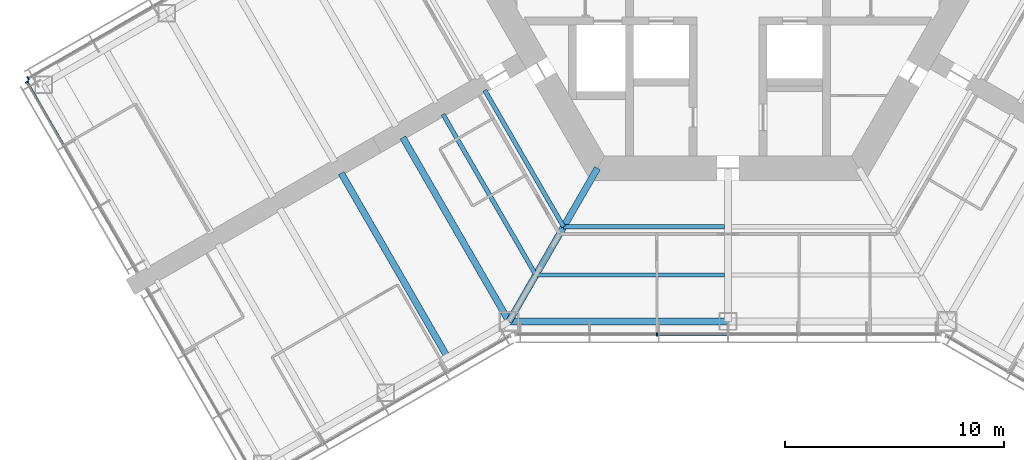
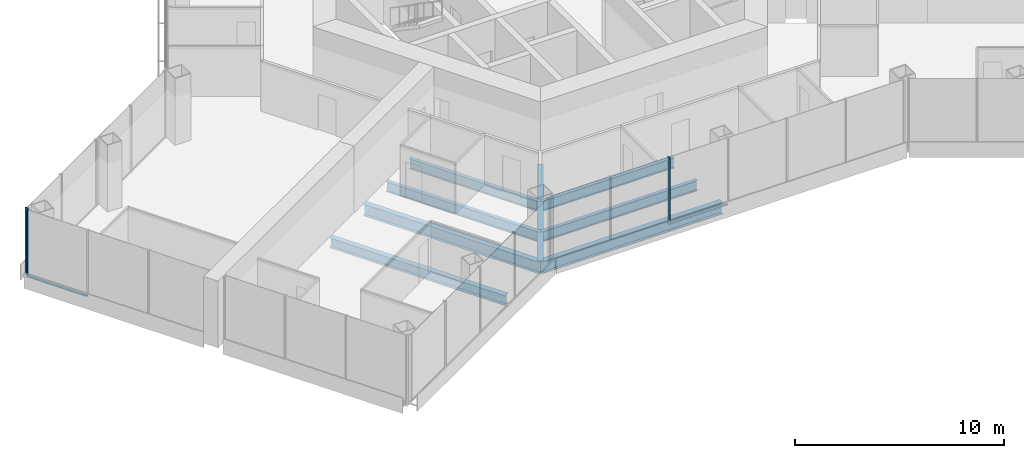
# One storey, part 3 of 19: 8 beams, 5 members, 3 elements without a shape of their own.
"""IFC4 building model written with IfcOpenShell, lengths in metres."""

import ifcopenshell
import ifcopenshell.guid

model = None  # the IFC model being written
_history = None  # IfcOwnerHistory: only IFC2X3 demands one
_inside = {}  # id of a spatial element -> (the spatial element, [elements in it])
_under = {}  # id of a project, library or spatial element -> (it, [spatial elements below it])
_declared = {}  # id of a project -> (the project, [libraries it declares])
_typed = {}  # id of a type object -> (the type object, [elements of that type])
_made_of = {}  # id of a material, layer set ... -> (it, [elements and type objects made of it])


def new_model(schema):
    """Start an empty IFC model of exactly this schema.

    Asked for "IFC4X3", IfcOpenShell would pick the latest addendum, in which some entities
    have other attributes; the version numbers below select the first issue.
    IFC2X3 requires an IfcOwnerHistory on every rooted entity: one is made here for all.
    """
    global model, _history
    if schema == "IFC4X3":
        model = ifcopenshell.file(schema_version=(4, 3, 0, 0))
    else:
        model = ifcopenshell.file(schema=schema)
    _inside.clear()
    _under.clear()
    _declared.clear()
    _typed.clear()
    _made_of.clear()
    _history = None
    if model.schema == "IFC2X3":
        org = make("IfcOrganization", Name="unknown")
        user = make(
            "IfcPersonAndOrganization",
            ThePerson=make("IfcPerson", FamilyName="unknown"),
            TheOrganization=org,
        )
        app = make(
            "IfcApplication",
            ApplicationDeveloper=org,
            Version="unknown",
            ApplicationFullName="unknown",
            ApplicationIdentifier="unknown",
        )
        _history = make(
            "IfcOwnerHistory",
            OwningUser=user,
            OwningApplication=app,
            ChangeAction="ADDED",
            CreationDate=0,
        )
    return model


def make(cls, **values):
    """One entity of the class cls with the attributes given. An attribute that is None is left unset."""
    return model.create_entity(
        cls, **{name: value for name, value in values.items() if value is not None}
    )


def rooted(cls, **values):
    """An entity with a GlobalId (a new one), such as an element, a storey or a relation."""
    return make(cls, GlobalId=ifcopenshell.guid.new(), OwnerHistory=_history, **values)


def si_unit(unit_type, name, prefix=None):
    """IfcSIUnit, for example si_unit("LENGTHUNIT", "METRE", prefix="MILLI")."""
    return make("IfcSIUnit", UnitType=unit_type, Prefix=prefix, Name=name)


def assignment(units):
    """IfcUnitAssignment: the units of a project."""
    return None if units is None else make("IfcUnitAssignment", Units=units)


def point(xyz):
    """IfcCartesianPoint."""
    return None if xyz is None else make("IfcCartesianPoint", Coordinates=xyz)


def direction(xyz):
    """IfcDirection."""
    return None if xyz is None else make("IfcDirection", DirectionRatios=xyz)


def frame(location, z_axis=None, x_axis=None):
    """IfcAxis2Placement3D, a coordinate frame: its origin and axes. An axis left out is left unset."""
    return make(
        "IfcAxis2Placement3D",
        Location=point(location),
        Axis=direction(z_axis),
        RefDirection=direction(x_axis),
    )


def frame_2d(location, x_axis=None):
    """IfcAxis2Placement2D, a coordinate frame in the plane: its origin and x axis."""
    return make(
        "IfcAxis2Placement2D", Location=point(location), RefDirection=direction(x_axis)
    )


def origin():
    """The frame at (0, 0, 0) with its axes left unset."""
    return frame((0.0, 0.0, 0.0))


def origin_2d():
    """The frame at (0, 0) in the plane with its x axis left unset."""
    return frame_2d((0.0, 0.0))


def place(relative_to, where):
    """IfcLocalPlacement: puts the frame where relative to a parent placement (None: the world)."""
    return make(
        "IfcLocalPlacement", PlacementRelTo=relative_to, RelativePlacement=where
    )


def context(
    kind, dimensions, precision=None, world=None, true_north=None, identifier=None
):
    """IfcGeometricRepresentationContext, for example the 3D "Model" context."""
    return make(
        "IfcGeometricRepresentationContext",
        ContextIdentifier=identifier,
        ContextType=kind,
        CoordinateSpaceDimension=dimensions,
        Precision=precision,
        WorldCoordinateSystem=world,
        TrueNorth=true_north,
    )


def subcontext(parent, identifier, kind, view, scale=None):
    """IfcGeometricRepresentationSubContext, for example "Body" below "Model"."""
    return make(
        "IfcGeometricRepresentationSubContext",
        ContextIdentifier=identifier,
        ContextType=kind,
        ParentContext=parent,
        TargetScale=scale,
        TargetView=view,
    )


def project(units=None, contexts=None):
    """IfcProject with its units and contexts."""
    return rooted(
        "IfcProject",
        Name="project",
        RepresentationContexts=contexts,
        UnitsInContext=assignment(units),
    )


def spatial(cls, under=None, at=None, **own):
    """A site, building, storey or space (cls), placed at a placement, below another one or the project."""
    s = rooted(cls, ObjectPlacement=at, **own)
    if under is not None:
        _under.setdefault(under.id(), (under, []))[1].append(s)
    return s


def profile(cls, at=None, kind="AREA", **sizes):
    """A parametric profile (cls). Its sizes go by their IFC names, for example OverallWidth=200.0."""
    return make(cls, ProfileType=kind, Position=at, **sizes)


def rectangle(**sizes):
    """IfcRectangleProfileDef."""
    return profile("IfcRectangleProfileDef", **sizes)


def i_section(**sizes):
    """IfcIShapeProfileDef."""
    return profile("IfcIShapeProfileDef", **sizes)


def extrude(swept, where, along, depth):
    """IfcExtrudedAreaSolid: the profile swept, set in the frame where, extruded along a direction by depth."""
    return make(
        "IfcExtrudedAreaSolid",
        SweptArea=swept,
        Position=where,
        ExtrudedDirection=direction(along),
        Depth=depth,
    )


def shape(context_of_items, identifier, shape_type, items):
    """IfcShapeRepresentation: the items that make up one representation, for example the "Body"."""
    return make(
        "IfcShapeRepresentation",
        ContextOfItems=context_of_items,
        RepresentationIdentifier=identifier,
        RepresentationType=shape_type,
        Items=items,
    )


def material(Name=None, Category=None):
    """IfcMaterial."""
    return make("IfcMaterial", Name=Name, Category=Category)


def material_profile(
    of_material, cross_section, Name=None, Category=None, Priority=None
):
    """IfcMaterialProfile: a cross section and its material."""
    return make(
        "IfcMaterialProfile",
        Name=Name,
        Material=of_material,
        Profile=cross_section,
        Priority=Priority,
        Category=Category,
    )


def profile_set(profiles, Name=None, composite=None):
    """IfcMaterialProfileSet."""
    return make(
        "IfcMaterialProfileSet",
        Name=Name,
        MaterialProfiles=profiles,
        CompositeProfile=composite,
    )


def made_of(thing, what):
    """Note that an element or type object is made of a material, layer set ...; save() writes the relation."""
    if what is not None:
        _made_of.setdefault(what.id(), (what, []))[1].append(thing)
    return thing


def type_object(cls, material=None, **own):
    """A type object (cls), such as IfcWallType, which elements share."""
    return made_of(rooted(cls, **own), material)


def element(
    cls,
    number,
    at=None,
    inside=None,
    cuts=None,
    type_object=None,
    material=None,
    context=None,
    identifier="Body",
    shape_type=None,
    held_by="IfcProductDefinitionShape",
    body=None,
    shapes=None,
    **own,
):
    """One element of the class cls, such as IfcWall. Its Tag is "e" and its number.

    at: its placement. inside: the storey or other place that contains it. cuts: it is an
    opening in that element (IfcRelVoidsElement). A single representation is given by context,
    identifier, shape_type and body (its items); several are given by shapes. held_by: the class
    of the entity that holds the representations. save() writes the other relations.
    """
    e = rooted(cls, Tag="e%d" % number, ObjectPlacement=at, **own)
    if body is not None:
        shapes = [shape(context, identifier, shape_type, body)]
    if shapes is not None:
        e.Representation = make(held_by, Representations=shapes)
    if inside is not None:
        _inside.setdefault(inside.id(), (inside, []))[1].append(e)
    if cuts is not None:
        rooted(
            "IfcRelVoidsElement", RelatingBuildingElement=cuts, RelatedOpeningElement=e
        )
    if type_object is not None:
        _typed.setdefault(type_object.id(), (type_object, []))[1].append(e)
    return made_of(e, material)


def aggregate(whole, parts):
    """IfcRelAggregates: a whole, such as a stair, and the parts it consists of."""
    return rooted("IfcRelAggregates", RelatingObject=whole, RelatedObjects=parts)


def save(model, path):
    """Write the relations noted so far, then the file.

    IfcRelAggregates (storeys below a building ...), IfcRelContainedInSpatialStructure (elements
    in a storey), IfcRelDefinesByType, IfcRelAssociatesMaterial and IfcRelDeclares: one each for
    every whole, place, type object, material and project.
    """
    for whole, parts in _under.values():
        aggregate(whole, parts)
    for where, things in _inside.values():
        rooted(
            "IfcRelContainedInSpatialStructure",
            RelatedElements=things,
            RelatingStructure=where,
        )
    for kind, things in _typed.values():
        rooted("IfcRelDefinesByType", RelatedObjects=things, RelatingType=kind)
    for what, things in _made_of.values():
        rooted("IfcRelAssociatesMaterial", RelatedObjects=things, RelatingMaterial=what)
    for by, libraries in _declared.values():
        rooted("IfcRelDeclares", RelatingContext=by, RelatedDefinitions=libraries)
    model.write(path)


model = new_model("IFC4")

# Units and contexts
model_context = context("Model", 3, precision=1e-05, world=origin(), true_north=direction((0.0, 1.0)))
body_context = subcontext(model_context, "Body", "Model", "MODEL_VIEW")
ifc_project = project(units=[si_unit("LENGTHUNIT", "METRE"), si_unit("AREAUNIT", "SQUARE_METRE"), si_unit("VOLUMEUNIT", "CUBIC_METRE"), si_unit("PLANEANGLEUNIT", "RADIAN"), si_unit("MASSUNIT", "GRAM", prefix="KILO")], contexts=[model_context])

# Site, building, storey
site_placement = place(None, origin())
site = spatial("IfcSite", under=ifc_project, at=site_placement, CompositionType="ELEMENT")
building_placement = place(site_placement, origin())
building = spatial("IfcBuilding", under=site, at=building_placement, Name="Kasaneha Research Tower", CompositionType="ELEMENT")
storey_placement = place(building_placement, frame((0.0, 0.0, 88.5)))
storey = spatial("IfcBuildingStorey", under=building, at=storey_placement, Name="L22", CompositionType="ELEMENT", Elevation=88.5)

# Beams
ifc_material_1 = material(Name="Steel SN490B", Category="steel")
ifc_material_profile_1 = material_profile(ifc_material_1, i_section(OverallWidth=0.199951171875, OverallDepth=0.60009765625, WebThickness=0.010986328125, FlangeThickness=0.01708984375, FilletRadius=0.012939453125, at=origin_2d()), Name="H-600x200x11x17")
ifc_profile_set_1 = profile_set([ifc_material_profile_1], Name="Steel SN490B")
beam_type_1 = type_object("IfcBeamType", Name="B1-3 secondary beam H-600x200x11x17", PredefinedType="JOIST", material=ifc_profile_set_1)
beam_1_placement = place(storey_placement, frame((-7.505615234375, -13.0, -0.449951171875), z_axis=(-0.499998147991, 0.86602647304, 0.0), x_axis=(-0.86602647304, -0.499998147991, 0.0)))
element("IfcBeam", 1, at=beam_1_placement, inside=storey, type_object=beam_type_1, Name="Secondary beam RS210R1 L22", PredefinedType="JOIST", context=body_context, shape_type="SweptSolid", body=[
    extrude(i_section(OverallWidth=0.199951171875, OverallDepth=0.60009765625, WebThickness=0.010986328125, FlangeThickness=0.01708984375, FilletRadius=0.012939453125, at=origin_2d()), origin(), (0.0, 0.0, 1.0), 7.20556640625),
])
beam_2_placement = place(storey_placement, frame((-8.775634765625, -15.199951171875, -0.449951171875), z_axis=(-0.500020829043, 0.866013377797, 0.0), x_axis=(-0.866013377797, -0.500020829043, 0.0)))
element("IfcBeam", 2, at=beam_2_placement, inside=storey, type_object=beam_type_1, Name="Secondary beam RS210R2 L22", PredefinedType="JOIST", context=body_context, shape_type="SweptSolid", body=[
    extrude(i_section(OverallWidth=0.199951171875, OverallDepth=0.60009765625, WebThickness=0.010986328125, FlangeThickness=0.01708984375, FilletRadius=0.012939453125, at=origin_2d()), origin(), (0.0, 0.0, 1.0), 8.475830078125),
])
beam_3_placement = place(storey_placement, frame((-7.505615234375, -13.0, -0.449951171875), z_axis=(1.0, 0.0, 0.0), x_axis=(0.0, 1.0, 0.0)))
element("IfcBeam", 3, at=beam_3_placement, inside=storey, type_object=beam_type_1, Name="Secondary beam RS270L1 L22", PredefinedType="JOIST", context=body_context, shape_type="SweptSolid", body=[
    extrude(i_section(OverallWidth=0.199951171875, OverallDepth=0.60009765625, WebThickness=0.010986328125, FlangeThickness=0.01708984375, FilletRadius=0.012939453125, at=origin_2d()), origin(), (0.0, 0.0, 1.0), 7.355712890625),
])
beam_4_placement = place(storey_placement, frame((-8.775634765625, -15.199951171875, -0.449951171875), z_axis=(1.0, 0.0, 0.0), x_axis=(0.0, 1.0, 0.0)))
element("IfcBeam", 4, at=beam_4_placement, inside=storey, type_object=beam_type_1, Name="Secondary beam RS270L2 L22", PredefinedType="JOIST", context=body_context, shape_type="SweptSolid", body=[
    extrude(i_section(OverallWidth=0.199951171875, OverallDepth=0.60009765625, WebThickness=0.010986328125, FlangeThickness=0.01708984375, FilletRadius=0.012939453125, at=origin_2d()), origin(), (0.0, 0.0, 1.0), 8.625732421875),
])
ifc_material_2 = material(Name="Steel SN490B", Category="steel")
ifc_material_profile_2 = material_profile(ifc_material_2, i_section(OverallWidth=0.300048828125, OverallDepth=0.58203125, WebThickness=0.011962890625, FlangeThickness=0.01708984375, FilletRadius=0.012939453125, at=origin_2d()), Name="H-582x300x12x17")
ifc_profile_set_2 = profile_set([ifc_material_profile_2], Name="Steel SN490B")
beam_type_2 = type_object("IfcBeamType", Name="B2-3 secondary beam H-582x300x12x17", PredefinedType="JOIST", material=ifc_profile_set_2)
beam_5_placement = place(storey_placement, frame((-12.814697265625, -18.945556640625, -0.44091796875), z_axis=(-0.499991164321, 0.866030505006, 0.0), x_axis=(-0.866030505006, -0.499991164321, 0.0)))
element("IfcBeam", 5, at=beam_5_placement, inside=storey, type_object=beam_type_2, Name="Secondary beam WBBN1 L22", PredefinedType="JOIST", context=body_context, shape_type="SweptSolid", body=[
    extrude(i_section(OverallWidth=0.300048828125, OverallDepth=0.58203125, WebThickness=0.011962890625, FlangeThickness=0.01708984375, FilletRadius=0.012939453125, at=origin_2d()), origin(), (0.0, 0.0, 1.0), 9.699951171875),
])

# Curtain wall, member
ifc_material_3 = material(Name="Glass and aluminium", Category="aluminium")
curtain_wall_type = type_object("IfcCurtainWallType", Name="Low-rise office curtain wall", PredefinedType="USERDEFINED", material=ifc_material_3)
curtain_wall_1_placement = place(storey_placement, origin())
curtain_wall_1 = element("IfcCurtainWall", 6, at=curtain_wall_1_placement, inside=storey, type_object=curtain_wall_type, Name="CW-O1 L22 run 02a", ObjectType="UNITISED CURTAIN WALL", PredefinedType="USERDEFINED")
ifc_material_4 = material(Name="Aluminium 6063-T6", Category="aluminium")
ifc_material_profile_3 = material_profile(ifc_material_4, rectangle(XDim=0.06005859375, YDim=0.159912109375, at=origin_2d()), Name="CW-O1 mullion 60x160")
ifc_profile_set_3 = profile_set([ifc_material_profile_3], Name="Aluminium 6063-T6")
member_type_1 = type_object("IfcMemberType", Name="CW-O1 mullion", PredefinedType="MULLION", material=ifc_profile_set_3)
member_1_placement = place(storey_placement, frame((-3.246337890625, -17.92041015625, 0.0), z_axis=(0.0, 0.0, 1.0), x_axis=(1.0, 0.0, 0.0)))
member_1 = element("IfcMember", 7, at=member_1_placement, type_object=member_type_1, Name="CW-O1 mullion 3", PredefinedType="MULLION", context=body_context, shape_type="SweptSolid", body=[
    extrude(rectangle(XDim=0.06005859375, YDim=0.159912109375, at=origin_2d()), origin(), (0.0, 0.0, 1.0), 3.89990234375),
])

curtain_wall_2_placement = place(storey_placement, origin())
curtain_wall_2 = element("IfcCurtainWall", 8, at=curtain_wall_2_placement, inside=storey, type_object=curtain_wall_type, Name="CW-O1 L22 run 13a", ObjectType="UNITISED CURTAIN WALL", PredefinedType="USERDEFINED")
member_2_placement = place(storey_placement, frame((-31.96533203125, -6.21533203125, 0.0), z_axis=(0.0, 0.0, 1.0), x_axis=(-0.866025411464, -0.499999986699, 0.0)))
member_2 = element("IfcMember", 9, at=member_2_placement, type_object=member_type_1, Name="CW-O1 mullion 5", PredefinedType="MULLION", context=body_context, shape_type="SweptSolid", body=[
    extrude(rectangle(XDim=0.06005859375, YDim=0.159912109375, at=origin_2d()), origin(), (0.0, 0.0, 1.0), 3.89990234375),
])
aggregate(curtain_wall_2, [member_2])

curtain_wall_3_placement = place(storey_placement, origin())
curtain_wall_3 = element("IfcCurtainWall", 10, at=curtain_wall_3_placement, inside=storey, type_object=curtain_wall_type, Name="CW-O1 L22 run 14a", ObjectType="UNITISED CURTAIN WALL", PredefinedType="USERDEFINED")
member_3_placement = place(storey_placement, frame((-32.012939453125, -6.39306640625, 0.0), z_axis=(0.0, 0.0, 1.0), x_axis=(0.500000011442, -0.866025397178, 0.0)))
member_3 = element("IfcMember", 11, at=member_3_placement, type_object=member_type_1, Name="CW-O1 mullion 1", PredefinedType="MULLION", context=body_context, shape_type="SweptSolid", body=[
    extrude(rectangle(XDim=0.06005859375, YDim=0.159912109375, at=origin_2d()), origin(), (0.0, 0.0, 1.0), 3.89990234375),
])

# Member
ifc_material_5 = material(Name="Aluminium 6063-T6", Category="aluminium")
ifc_material_profile_4 = material_profile(ifc_material_5, rectangle(XDim=0.1201171875, YDim=0.06005859375, at=origin_2d()), Name="CW-O1 transom 120x60")
ifc_profile_set_4 = profile_set([ifc_material_profile_4], Name="Aluminium 6063-T6")
member_type_2 = type_object("IfcMemberType", Name="CW-O1 transom", PredefinedType="USERDEFINED", material=ifc_profile_set_4)
member_4_placement = place(storey_placement, frame((-3.21630859375, -17.92041015625, 0.030029296875), z_axis=(1.0, 0.0, 0.0), x_axis=(0.0, 1.0, 0.0)))
member_4 = element("IfcMember", 12, at=member_4_placement, type_object=member_type_2, Name="CW-O1 transom 3", ObjectType="TRANSOM", PredefinedType="USERDEFINED", context=body_context, shape_type="SweptSolid", body=[
    extrude(rectangle(XDim=0.1201171875, YDim=0.06005859375, at=origin_2d()), origin(), (0.0, 0.0, 1.0), 3.186279296875),
])

aggregate(curtain_wall_1, [member_1, member_4])

member_5_placement = place(storey_placement, frame((-31.998046875, -6.4189453125, 0.030029296875), z_axis=(0.500025583411, -0.866010632691, 0.0), x_axis=(0.866010632691, 0.500025583411, 0.0)))
member_5 = element("IfcMember", 13, at=member_5_placement, type_object=member_type_2, Name="CW-O1 transom 1", ObjectType="TRANSOM", PredefinedType="USERDEFINED", context=body_context, shape_type="SweptSolid", body=[
    extrude(rectangle(XDim=0.1201171875, YDim=0.06005859375, at=origin_2d()), origin(), (0.0, 0.0, 1.0), 3.276611328125),
])

aggregate(curtain_wall_3, [member_3, member_5])

# Beams
ifc_material_6 = material(Name="Steel SN490B", Category="steel")
ifc_material_profile_5 = material_profile(ifc_material_6, i_section(OverallWidth=0.300048828125, OverallDepth=0.699951171875, WebThickness=0.012939453125, FlangeThickness=0.02392578125, FilletRadius=0.01806640625, at=origin_2d()), Name="H-700x300x13x24")
ifc_profile_set_5 = profile_set([ifc_material_profile_5], Name="Steel SN490B")
beam_type_3 = type_object("IfcBeamType", Name="G1-3 radial girder H-700x300x13x24", PredefinedType="BEAM", material=ifc_profile_set_5)
beam_6_placement = place(storey_placement, frame((-5.961181640625, -10.324951171875, -0.5), z_axis=(-0.49999105496, -0.866030568144, 0.0), x_axis=(0.866030568144, -0.49999105496, 0.0)))
element("IfcBeam", 14, at=beam_6_placement, inside=storey, type_object=beam_type_3, Name="Radial girder RV240 L22", PredefinedType="BEAM", context=body_context, shape_type="SweptSolid", body=[
    extrude(i_section(OverallWidth=0.300048828125, OverallDepth=0.699951171875, WebThickness=0.012939453125, FlangeThickness=0.02392578125, FilletRadius=0.01806640625, at=origin_2d()), origin(), (0.0, 0.0, 1.0), 8.077880859375),
])
ifc_material_7 = material(Name="Steel SN490B", Category="steel")
ifc_material_profile_6 = material_profile(ifc_material_7, i_section(OverallWidth=0.300048828125, OverallDepth=0.69189453125, WebThickness=0.012939453125, FlangeThickness=0.02001953125, FilletRadius=0.01806640625, at=origin_2d()), Name="H-692x300x13x20")
ifc_profile_set_6 = profile_set([ifc_material_profile_6], Name="Steel SN490B")
beam_type_4 = type_object("IfcBeamType", Name="G3-3 plate edge girder H-692x300x13x20", PredefinedType="BEAM", material=ifc_profile_set_6)
beam_7_placement = place(storey_placement, frame((-10.0, -17.320556640625, -0.49609375), z_axis=(-0.500010041276, 0.866019606374, 0.0), x_axis=(-0.866019606374, -0.500010041276, 0.0)))
element("IfcBeam", 15, at=beam_7_placement, inside=storey, type_object=beam_type_4, Name="Plate edge girder PEBN L22", PredefinedType="BEAM", context=body_context, shape_type="SweptSolid", body=[
    extrude(i_section(OverallWidth=0.300048828125, OverallDepth=0.69189453125, WebThickness=0.012939453125, FlangeThickness=0.02001953125, FilletRadius=0.01806640625, at=origin_2d()), origin(), (0.0, 0.0, 1.0), 9.699951171875),
])
ifc_material_8 = material(Name="Steel SN490B", Category="steel")
ifc_material_profile_7 = material_profile(ifc_material_8, i_section(OverallWidth=0.300048828125, OverallDepth=0.69189453125, WebThickness=0.012939453125, FlangeThickness=0.02001953125, FilletRadius=0.01806640625, at=origin_2d()), Name="H-692x300x13x20")
ifc_profile_set_7 = profile_set([ifc_material_profile_7], Name="Steel SN490B")
beam_type_5 = type_object("IfcBeamType", Name="SB1-3 spandrel beam H-692x300x13x20", PredefinedType="SPANDREL", material=ifc_profile_set_7)
beam_8_placement = place(storey_placement, frame((-10.0, -17.320556640625, -0.49609375), z_axis=(1.0, 0.0, 0.0), x_axis=(0.0, 1.0, 0.0)))
element("IfcBeam", 16, at=beam_8_placement, inside=storey, type_object=beam_type_5, Name="Spandrel beam SR270L L22", PredefinedType="SPANDREL", context=body_context, shape_type="SweptSolid", body=[
    extrude(i_section(OverallWidth=0.300048828125, OverallDepth=0.69189453125, WebThickness=0.012939453125, FlangeThickness=0.02001953125, FilletRadius=0.01806640625, at=origin_2d()), origin(), (0.0, 0.0, 1.0), 10.0),
])

save(model, "model.ifc")
